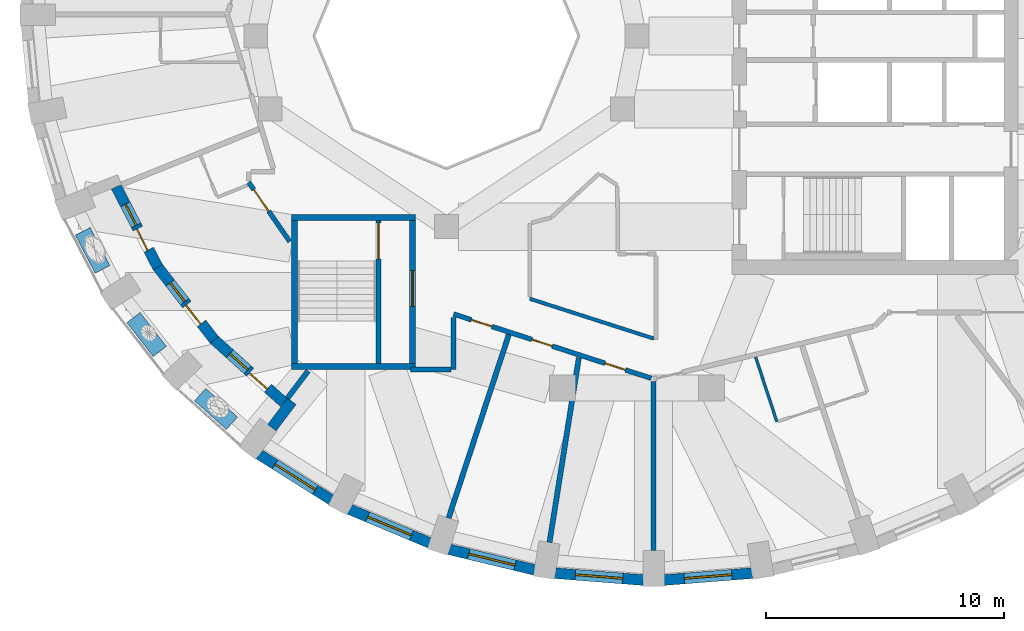
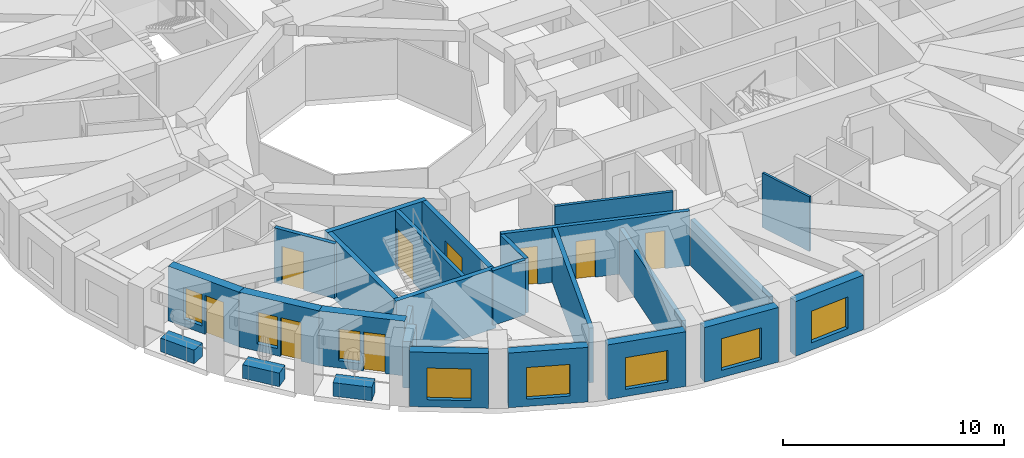
# One storey, part 3 of 12: 27 walls, 9 doors, 8 windows, 17 openings.
"""IFC4 building model written with IfcOpenShell, lengths in metres."""

from ifc_helpers import new_model, si_unit, direction, frame, frame_2d, origin, place, context, subcontext, project, spatial, rectangle, extrude, material, layer, layer_set, constituent, constituent_set, type_object, element, fill, save


model = new_model("IFC4")

# Units and contexts
model_context = context("Model", 3, precision=1e-05, world=origin(), true_north=direction((0.0, 1.0)))
body_context = subcontext(model_context, "Body", "Model", "MODEL_VIEW")
ifc_project = project(units=[si_unit("LENGTHUNIT", "METRE"), si_unit("AREAUNIT", "SQUARE_METRE"), si_unit("VOLUMEUNIT", "CUBIC_METRE"), si_unit("PLANEANGLEUNIT", "RADIAN"), si_unit("MASSUNIT", "GRAM", prefix="KILO")], contexts=[model_context])

# Site, building, storey
site_placement = place(None, origin())
site = spatial("IfcSite", under=ifc_project, at=site_placement, CompositionType="ELEMENT")
building_placement = place(site_placement, origin())
building = spatial("IfcBuilding", under=site, at=building_placement, Name="Taillehof Tower", CompositionType="ELEMENT")
storey_placement = place(building_placement, frame((0.0, 0.0, 222.199951171875)))
storey = spatial("IfcBuildingStorey", under=building, at=storey_placement, Name="L63", CompositionType="ELEMENT", Elevation=222.199951171875)

# Wall, opening, window
ifc_material_1 = material(Name="Brick masonry", Category="masonry")
ifc_layer_1 = layer(ifc_material_1, 0.449951171875)
ifc_layer_set_1 = layer_set([ifc_layer_1], Name="Brick infill wall 450")
wall_type_1 = type_object("IfcWallType", Name="Brick infill wall 450", PredefinedType="SOLIDWALL", material=ifc_layer_set_1)
wall_1_placement = place(storey_placement, frame((-15.8671875, -17.55859375, 0.0), z_axis=(0.0, 0.0, 1.0), x_axis=(0.84616917791, -0.532914366813, 0.0)))
wall_1 = element("IfcWall", 1, at=wall_1_placement, inside=storey, type_object=wall_type_1, Name="Brick wall L63 bay 24", PredefinedType="SOLIDWALL", context=body_context, shape_type="SweptSolid", body=[
    extrude(rectangle(XDim=3.586669921875, YDim=0.449951171875, at=frame_2d((1.79345703125, 0.0))), origin(), (0.0, 0.0, 1.0), 3.02001953125),
])
opening_1_placement = place(wall_1_placement, frame((0.79345703125, 0.0, 0.39990234375)))
opening_1 = element("IfcOpeningElement", 2, at=opening_1_placement, cuts=wall_1, Name="Opening W2", PredefinedType="OPENING", context=body_context, shape_type="SweptSolid", body=[
    extrude(rectangle(XDim=2.0, YDim=1.75, at=frame_2d((1.0, 0.875))), frame((0.0, 0.23486328125, 0.0), z_axis=(0.0, -1.0, 0.0), x_axis=(1.0, 0.0, 0.0)), (0.0, 0.0, 1.0), 0.469970703125),
])
ifc_material_2 = material(Name="Aluminium window frame with clear double glazing", Category="aluminium")
window_type_1 = type_object("IfcWindowType", Name="Deep-set window 2000x1750", PartitioningType="SINGLE_PANEL", PredefinedType="WINDOW", material=ifc_material_2)
window_1_placement = place(opening_1_placement, origin())
window_1 = element("IfcWindow", 3, at=window_1_placement, inside=storey, type_object=window_type_1, Name="W2", OverallHeight=1.75, OverallWidth=2.0, PartitioningType="SINGLE_PANEL", PredefinedType="WINDOW", context=body_context, shape_type="SweptSolid", body=[
    extrude(rectangle(XDim=2.0, YDim=1.75, at=frame_2d((1.0, 0.875))), frame((0.0, 0.034912109375, 0.0), z_axis=(0.0, -1.0, 0.0), x_axis=(1.0, 0.0, 0.0)), (0.0, 0.0, 1.0), 0.06005859375),
])
fill(opening_1, window_1)

wall_2_placement = place(storey_placement, frame((-12.0693359375, -19.866943359375, 0.0), z_axis=(0.0, 0.0, 1.0), x_axis=(0.922168222612, -0.386789050006, 0.0)))
wall_2 = element("IfcWall", 4, at=wall_2_placement, inside=storey, type_object=wall_type_1, Name="Brick wall L63 bay 25", PredefinedType="SOLIDWALL", context=body_context, shape_type="SweptSolid", body=[
    extrude(rectangle(XDim=3.65087890625, YDim=0.449951171875, at=frame_2d((1.825439453125, 0.0))), origin(), (0.0, 0.0, 1.0), 3.02001953125),
])
opening_2_placement = place(wall_2_placement, frame((0.825439453125, 0.0, 0.39990234375)))
opening_2 = element("IfcOpeningElement", 5, at=opening_2_placement, cuts=wall_2, Name="Opening W2", PredefinedType="OPENING", context=body_context, shape_type="SweptSolid", body=[
    extrude(rectangle(XDim=2.0, YDim=1.75, at=frame_2d((1.0, 0.875))), frame((0.0, 0.23486328125, 0.0), z_axis=(0.0, -1.0, 0.0), x_axis=(1.0, 0.0, 0.0)), (0.0, 0.0, 1.0), 0.469970703125),
])
window_2_placement = place(opening_2_placement, origin())
window_2 = element("IfcWindow", 6, at=window_2_placement, inside=storey, type_object=window_type_1, Name="W2", OverallHeight=1.75, OverallWidth=2.0, PartitioningType="SINGLE_PANEL", PredefinedType="WINDOW", context=body_context, shape_type="SweptSolid", body=[
    extrude(rectangle(XDim=2.0, YDim=1.75, at=frame_2d((1.0, 0.875))), frame((0.0, 0.034912109375, 0.0), z_axis=(0.0, -1.0, 0.0), x_axis=(1.0, 0.0, 0.0)), (0.0, 0.0, 1.0), 0.06005859375),
])
fill(opening_2, window_2)

wall_3_placement = place(storey_placement, frame((-7.88525390625, -21.547119140625, 0.0), z_axis=(0.0, 0.0, 1.0), x_axis=(0.9721584944, -0.234324266275, 0.0)))
wall_3 = element("IfcWall", 7, at=wall_3_placement, inside=storey, type_object=wall_type_1, Name="Brick wall L63 bay 26", PredefinedType="SOLIDWALL", context=body_context, shape_type="SweptSolid", body=[
    extrude(rectangle(XDim=3.69775390625, YDim=0.449951171875, at=frame_2d((1.848876953125, 0.0))), origin(), (0.0, 0.0, 1.0), 3.02001953125),
])
opening_3_placement = place(wall_3_placement, frame((0.848876953125, 0.0, 0.39990234375)))
opening_3 = element("IfcOpeningElement", 8, at=opening_3_placement, cuts=wall_3, Name="Opening W2", PredefinedType="OPENING", context=body_context, shape_type="SweptSolid", body=[
    extrude(rectangle(XDim=2.0, YDim=1.75, at=frame_2d((1.0, 0.875))), frame((0.0, 0.23486328125, 0.0), z_axis=(0.0, -1.0, 0.0), x_axis=(1.0, 0.0, 0.0)), (0.0, 0.0, 1.0), 0.469970703125),
])
window_3_placement = place(opening_3_placement, origin())
window_3 = element("IfcWindow", 9, at=window_3_placement, inside=storey, type_object=window_type_1, Name="W2", OverallHeight=1.75, OverallWidth=2.0, PartitioningType="SINGLE_PANEL", PredefinedType="WINDOW", context=body_context, shape_type="SweptSolid", body=[
    extrude(rectangle(XDim=2.0, YDim=1.75, at=frame_2d((1.0, 0.875))), frame((0.0, 0.034912109375, 0.0), z_axis=(0.0, -1.0, 0.0), x_axis=(1.0, 0.0, 0.0)), (0.0, 0.0, 1.0), 0.06005859375),
])
fill(opening_3, window_3)

wall_4_placement = place(storey_placement, frame((-3.441162109375, -22.54833984375, 0.0), z_axis=(0.0, 0.0, 1.0), x_axis=(0.996913971077, -0.078501810629, 0.0)))
wall_4 = element("IfcWall", 10, at=wall_4_placement, inside=storey, type_object=wall_type_1, Name="Brick wall L63 bay 27", PredefinedType="SOLIDWALL", context=body_context, shape_type="SweptSolid", body=[
    extrude(rectangle(XDim=3.72265625, YDim=0.449951171875, at=frame_2d((1.861328125, 0.0))), origin(), (0.0, 0.0, 1.0), 3.02001953125),
])
opening_4_placement = place(wall_4_placement, frame((0.861328125, 0.0, 0.39990234375)))
opening_4 = element("IfcOpeningElement", 11, at=opening_4_placement, cuts=wall_4, Name="Opening W2", PredefinedType="OPENING", context=body_context, shape_type="SweptSolid", body=[
    extrude(rectangle(XDim=2.0, YDim=1.75, at=frame_2d((1.0, 0.875))), frame((0.0, 0.23486328125, 0.0), z_axis=(0.0, -1.0, 0.0), x_axis=(1.0, 0.0, 0.0)), (0.0, 0.0, 1.0), 0.469970703125),
])
window_4_placement = place(opening_4_placement, origin())
window_4 = element("IfcWindow", 12, at=window_4_placement, inside=storey, type_object=window_type_1, Name="W2", OverallHeight=1.75, OverallWidth=2.0, PartitioningType="SINGLE_PANEL", PredefinedType="WINDOW", context=body_context, shape_type="SweptSolid", body=[
    extrude(rectangle(XDim=2.0, YDim=1.75, at=frame_2d((1.0, 0.875))), frame((0.0, 0.034912109375, 0.0), z_axis=(0.0, -1.0, 0.0), x_axis=(1.0, 0.0, 0.0)), (0.0, 0.0, 1.0), 0.06005859375),
])
fill(opening_4, window_4)

wall_5_placement = place(storey_placement, frame((1.130126953125, -22.840576171875, 0.0), z_axis=(0.0, 0.0, 1.0), x_axis=(0.996913566885, 0.078506943392, 0.0)))
wall_5 = element("IfcWall", 13, at=wall_5_placement, inside=storey, type_object=wall_type_1, Name="Brick wall L63 bay 28", PredefinedType="SOLIDWALL", context=body_context, shape_type="SweptSolid", body=[
    extrude(rectangle(XDim=3.722412109375, YDim=0.449951171875, at=frame_2d((1.861328125, 0.0))), origin(), (0.0, 0.0, 1.0), 3.02001953125),
])
opening_5_placement = place(wall_5_placement, frame((0.861328125, 0.0, 0.39990234375)))
opening_5 = element("IfcOpeningElement", 14, at=opening_5_placement, cuts=wall_5, Name="Opening W2", PredefinedType="OPENING", context=body_context, shape_type="SweptSolid", body=[
    extrude(rectangle(XDim=2.0, YDim=1.75, at=frame_2d((1.0, 0.875))), frame((0.0, 0.23486328125, 0.0), z_axis=(0.0, -1.0, 0.0), x_axis=(1.0, 0.0, 0.0)), (0.0, 0.0, 1.0), 0.469970703125),
])
window_5_placement = place(opening_5_placement, origin())
window_5 = element("IfcWindow", 15, at=window_5_placement, inside=storey, type_object=window_type_1, Name="W2", OverallHeight=1.75, OverallWidth=2.0, PartitioningType="SINGLE_PANEL", PredefinedType="WINDOW", context=body_context, shape_type="SweptSolid", body=[
    extrude(rectangle(XDim=2.0, YDim=1.75, at=frame_2d((1.0, 0.875))), frame((0.0, 0.034912109375, 0.0), z_axis=(0.0, -1.0, 0.0), x_axis=(1.0, 0.0, 0.0)), (0.0, 0.0, 1.0), 0.06005859375),
])
fill(opening_5, window_5)

# Wall
wall_6_placement = place(storey_placement, frame((-15.325927734375, -16.441650390625, 0.0), z_axis=(0.0, 0.0, 1.0), x_axis=(0.603644757989, 0.797253414011, 0.0)))
element("IfcWall", 16, at=wall_6_placement, inside=storey, type_object=wall_type_1, Name="Brick reveal L63 pocket 6", PredefinedType="SOLIDWALL", context=body_context, shape_type="SweptSolid", body=[
    extrude(rectangle(XDim=1.390869140625, YDim=0.449951171875, at=frame_2d((0.6953125, 0.0))), origin(), (0.0, 0.0, 1.0), 2.570068359375),
])

# Wall, openings, door, window
wall_7_placement = place(storey_placement, frame((-21.860595703125, -6.326171875, 0.0), z_axis=(0.0, 0.0, 1.0), x_axis=(0.45924645187, -0.888308896975, 0.0)))
wall_7 = element("IfcWall", 17, at=wall_7_placement, inside=storey, type_object=wall_type_1, Name="Brick wall L63 pocket bay 21", PredefinedType="SOLIDWALL", context=body_context, shape_type="SweptSolid", body=[
    extrude(rectangle(XDim=3.801513671875, YDim=0.449951171875, at=frame_2d((1.90087890625, 0.0))), origin(), (0.0, 0.0, 1.0), 3.02001953125),
])
opening_6_placement = place(wall_7_placement, frame((0.82568359375, 0.0, 0.39990234375)))
opening_6 = element("IfcOpeningElement", 18, at=opening_6_placement, cuts=wall_7, Name="Opening W5", PredefinedType="OPENING", context=body_context, shape_type="SweptSolid", body=[
    extrude(rectangle(XDim=1.0, YDim=1.75, at=frame_2d((0.5, 0.875))), frame((0.0, 0.23486328125, 0.0), z_axis=(0.0, -1.0, 0.0), x_axis=(1.0, 0.0, 0.0)), (0.0, 0.0, 1.0), 0.469970703125),
])
opening_7_placement = place(wall_7_placement, frame((1.975830078125, 0.0, 0.0)))
opening_7 = element("IfcOpeningElement", 19, at=opening_7_placement, cuts=wall_7, Name="Opening D6394", PredefinedType="OPENING", context=body_context, shape_type="SweptSolid", body=[
    extrude(rectangle(XDim=1.0, YDim=2.14990234375, at=frame_2d((0.5, 1.074951171875))), frame((0.0, 0.23486328125, 0.0), z_axis=(0.0, -1.0, 0.0), x_axis=(1.0, 0.0, 0.0)), (0.0, 0.0, 1.0), 0.469970703125),
])
ifc_material_3 = material(Name="Aluminium door frame with clear double glazing", Category="aluminium")
door_type_1 = type_object("IfcDoorType", Name="Balcony door 1000x2150", OperationType="SINGLE_SWING_RIGHT", PredefinedType="DOOR", material=ifc_material_3)
door_1_placement = place(opening_7_placement, frame((1.0, 0.0, 0.0), z_axis=(0.0, 0.0, 1.0), x_axis=(-1.0, 0.0, 0.0)))
door_1 = element("IfcDoor", 20, at=door_1_placement, inside=storey, type_object=door_type_1, Name="Balcony door L63 bay 21", OperationType="SINGLE_SWING_RIGHT", OverallHeight=2.14990234375, OverallWidth=1.0, PredefinedType="DOOR", context=body_context, shape_type="SweptSolid", body=[
    extrude(rectangle(XDim=1.0, YDim=2.14990234375, at=frame_2d((0.5, 1.074951171875))), frame((0.0, 0.0751953125, 0.0), z_axis=(0.0, -1.0, 0.0), x_axis=(1.0, 0.0, 0.0)), (0.0, 0.0, 1.0), 0.050048828125),
])
fill(opening_7, door_1)
ifc_material_4 = material(Name="Aluminium window frame with clear double glazing", Category="aluminium")
window_type_2 = type_object("IfcWindowType", Name="Fixed window 1000x1750", PartitioningType="SINGLE_PANEL", PredefinedType="WINDOW", material=ifc_material_4)
window_6_placement = place(opening_6_placement, origin())
window_6 = element("IfcWindow", 21, at=window_6_placement, inside=storey, type_object=window_type_2, Name="W5", OverallHeight=1.75, OverallWidth=1.0, PartitioningType="SINGLE_PANEL", PredefinedType="WINDOW", context=body_context, shape_type="SweptSolid", body=[
    extrude(rectangle(XDim=1.0, YDim=1.75, at=frame_2d((0.5, 0.875))), frame((0.0, 0.034912109375, 0.0), z_axis=(0.0, -1.0, 0.0), x_axis=(1.0, 0.0, 0.0)), (0.0, 0.0, 1.0), 0.06005859375),
])
fill(opening_6, window_6)

wall_8_placement = place(storey_placement, frame((-20.136962890625, -9.66845703125, 0.0), z_axis=(0.0, 0.0, 1.0), x_axis=(0.613157177014, -0.789960933386, 0.0)))
wall_8 = element("IfcWall", 22, at=wall_8_placement, inside=storey, type_object=wall_type_1, Name="Brick wall L63 pocket bay 22", PredefinedType="SOLIDWALL", context=body_context, shape_type="SweptSolid", body=[
    extrude(rectangle(XDim=3.906494140625, YDim=0.449951171875, at=frame_2d((1.953125, 0.0))), origin(), (0.0, 0.0, 1.0), 3.02001953125),
])
opening_8_placement = place(wall_8_placement, frame((0.87841796875, 0.0, 0.39990234375)))
opening_8 = element("IfcOpeningElement", 23, at=opening_8_placement, cuts=wall_8, Name="Opening W5", PredefinedType="OPENING", context=body_context, shape_type="SweptSolid", body=[
    extrude(rectangle(XDim=1.0, YDim=1.75, at=frame_2d((0.5, 0.875))), frame((0.0, 0.23486328125, 0.0), z_axis=(0.0, -1.0, 0.0), x_axis=(1.0, 0.0, 0.0)), (0.0, 0.0, 1.0), 0.469970703125),
])
opening_9_placement = place(wall_8_placement, frame((2.0283203125, 0.0, 0.0)))
opening_9 = element("IfcOpeningElement", 24, at=opening_9_placement, cuts=wall_8, Name="Opening D6395", PredefinedType="OPENING", context=body_context, shape_type="SweptSolid", body=[
    extrude(rectangle(XDim=1.0, YDim=2.14990234375, at=frame_2d((0.5, 1.074951171875))), frame((0.0, 0.23486328125, 0.0), z_axis=(0.0, -1.0, 0.0), x_axis=(1.0, 0.0, 0.0)), (0.0, 0.0, 1.0), 0.469970703125),
])
door_2_placement = place(opening_9_placement, frame((1.0, 0.0, 0.0), z_axis=(0.0, 0.0, 1.0), x_axis=(-1.0, 0.0, 0.0)))
door_2 = element("IfcDoor", 25, at=door_2_placement, inside=storey, type_object=door_type_1, Name="Balcony door L63 bay 22", OperationType="SINGLE_SWING_LEFT", OverallHeight=2.14990234375, OverallWidth=1.0, PredefinedType="DOOR", context=body_context, shape_type="SweptSolid", body=[
    extrude(rectangle(XDim=1.0, YDim=2.14990234375, at=frame_2d((0.5, 1.074951171875))), frame((0.0, 0.0751953125, 0.0), z_axis=(0.0, -1.0, 0.0), x_axis=(1.0, 0.0, 0.0)), (0.0, 0.0, 1.0), 0.050048828125),
])
fill(opening_9, door_2)
window_7_placement = place(opening_8_placement, origin())
window_7 = element("IfcWindow", 26, at=window_7_placement, inside=storey, type_object=window_type_2, Name="W5", OverallHeight=1.75, OverallWidth=1.0, PartitioningType="SINGLE_PANEL", PredefinedType="WINDOW", context=body_context, shape_type="SweptSolid", body=[
    extrude(rectangle(XDim=1.0, YDim=1.75, at=frame_2d((0.5, 0.875))), frame((0.0, 0.034912109375, 0.0), z_axis=(0.0, -1.0, 0.0), x_axis=(1.0, 0.0, 0.0)), (0.0, 0.0, 1.0), 0.06005859375),
])
fill(opening_8, window_7)

wall_9_placement = place(storey_placement, frame((-17.7685546875, -12.725341796875, 0.0), z_axis=(0.0, 0.0, 1.0), x_axis=(0.742485377568, -0.669862272484, 0.0)))
wall_9 = element("IfcWall", 27, at=wall_9_placement, inside=storey, type_object=wall_type_1, Name="Brick wall L63 pocket bay 23", PredefinedType="SOLIDWALL", context=body_context, shape_type="SweptSolid", body=[
    extrude(rectangle(XDim=3.980224609375, YDim=0.449951171875, at=frame_2d((1.990234375, 0.0))), origin(), (0.0, 0.0, 1.0), 3.02001953125),
])
opening_10_placement = place(wall_9_placement, frame((0.9150390625, 0.0, 0.39990234375)))
opening_10 = element("IfcOpeningElement", 28, at=opening_10_placement, cuts=wall_9, Name="Opening W5", PredefinedType="OPENING", context=body_context, shape_type="SweptSolid", body=[
    extrude(rectangle(XDim=1.0, YDim=1.75, at=frame_2d((0.5, 0.875))), frame((0.0, 0.23486328125, 0.0), z_axis=(0.0, -1.0, 0.0), x_axis=(1.0, 0.0, 0.0)), (0.0, 0.0, 1.0), 0.469970703125),
])
opening_11_placement = place(wall_9_placement, frame((2.065185546875, 0.0, 0.0)))
opening_11 = element("IfcOpeningElement", 29, at=opening_11_placement, cuts=wall_9, Name="Opening D6396", PredefinedType="OPENING", context=body_context, shape_type="SweptSolid", body=[
    extrude(rectangle(XDim=1.0, YDim=2.14990234375, at=frame_2d((0.5, 1.074951171875))), frame((0.0, 0.23486328125, 0.0), z_axis=(0.0, -1.0, 0.0), x_axis=(1.0, 0.0, 0.0)), (0.0, 0.0, 1.0), 0.469970703125),
])
door_3_placement = place(opening_11_placement, frame((1.0, 0.0, 0.0), z_axis=(0.0, 0.0, 1.0), x_axis=(-1.0, 0.0, 0.0)))
door_3 = element("IfcDoor", 30, at=door_3_placement, inside=storey, type_object=door_type_1, Name="Balcony door L63 bay 23", OperationType="SINGLE_SWING_LEFT", OverallHeight=2.14990234375, OverallWidth=1.0, PredefinedType="DOOR", context=body_context, shape_type="SweptSolid", body=[
    extrude(rectangle(XDim=1.0, YDim=2.14990234375, at=frame_2d((0.5, 1.074951171875))), frame((0.0, 0.0751953125, 0.0), z_axis=(0.0, -1.0, 0.0), x_axis=(1.0, 0.0, 0.0)), (0.0, 0.0, 1.0), 0.050048828125),
])
fill(opening_11, door_3)
window_8_placement = place(opening_10_placement, origin())
window_8 = element("IfcWindow", 31, at=window_8_placement, inside=storey, type_object=window_type_2, Name="W5", OverallHeight=1.75, OverallWidth=1.0, PartitioningType="SINGLE_PANEL", PredefinedType="WINDOW", context=body_context, shape_type="SweptSolid", body=[
    extrude(rectangle(XDim=1.0, YDim=1.75, at=frame_2d((0.5, 0.875))), frame((0.0, 0.034912109375, 0.0), z_axis=(0.0, -1.0, 0.0), x_axis=(1.0, 0.0, 0.0)), (0.0, 0.0, 1.0), 0.06005859375),
])
fill(opening_10, window_8)

# Wall, openings, doors
ifc_material_5 = material(Name="Gypsum board on steel studs, two layers each side", Category="steel")
ifc_layer_2 = layer(ifc_material_5, 0.199951171875)
ifc_layer_set_2 = layer_set([ifc_layer_2], Name="Compartment wall corridor 200")
wall_type_2 = type_object("IfcWallType", Name="Compartment wall corridor 200", PredefinedType="PARTITIONING", material=ifc_layer_set_2)
wall_10_placement = place(storey_placement, frame((0.604736328125, -14.369384765625, 0.0), z_axis=(0.0, 0.0, 1.0), x_axis=(-0.950994614205, 0.309207444529, 0.0)))
wall_10 = element("IfcWall", 32, at=wall_10_placement, inside=storey, type_object=wall_type_2, Name="Compartment wall", PredefinedType="PARTITIONING", context=body_context, shape_type="SweptSolid", body=[
    extrude(rectangle(XDim=8.732666015625, YDim=0.199951171875, at=frame_2d((4.3662109375, 0.0))), origin(), (0.0, 0.0, 1.0), 3.02001953125),
])
opening_12_placement = place(wall_10_placement, frame((7.039794921875, 0.0, 0.0)))
opening_12 = element("IfcOpeningElement", 33, at=opening_12_placement, cuts=wall_10, Name="Opening D6358", PredefinedType="OPENING", context=body_context, shape_type="SweptSolid", body=[
    extrude(rectangle(XDim=0.89990234375, YDim=2.10009765625, at=frame_2d((0.449951171875, 1.050048828125))), frame((0.0, 0.10986328125, 0.0), z_axis=(0.0, -1.0, 0.0), x_axis=(1.0, 0.0, 0.0)), (0.0, 0.0, 1.0), 0.219970703125),
])
opening_13_placement = place(wall_10_placement, frame((4.374755859375, 0.0, 0.0)))
opening_13 = element("IfcOpeningElement", 34, at=opening_13_placement, cuts=wall_10, Name="Opening D6359", PredefinedType="OPENING", context=body_context, shape_type="SweptSolid", body=[
    extrude(rectangle(XDim=0.89990234375, YDim=2.10009765625, at=frame_2d((0.449951171875, 1.050048828125))), frame((0.0, 0.10986328125, 0.0), z_axis=(0.0, -1.0, 0.0), x_axis=(1.0, 0.0, 0.0)), (0.0, 0.0, 1.0), 0.219970703125),
])
opening_14_placement = place(wall_10_placement, frame((1.144775390625, 0.0, 0.0)))
opening_14 = element("IfcOpeningElement", 35, at=opening_14_placement, cuts=wall_10, Name="Opening D6360", PredefinedType="OPENING", context=body_context, shape_type="SweptSolid", body=[
    extrude(rectangle(XDim=0.89990234375, YDim=2.10009765625, at=frame_2d((0.449951171875, 1.050048828125))), frame((0.0, 0.10986328125, 0.0), z_axis=(0.0, -1.0, 0.0), x_axis=(1.0, 0.0, 0.0)), (0.0, 0.0, 1.0), 0.219970703125),
])
ifc_material_6 = material(Name="Timber door leaf in steel frame", Category="steel")
door_type_2 = type_object("IfcDoorType", Name="Service room door EI 30 900 x 2100", OperationType="SINGLE_SWING_LEFT", PredefinedType="DOOR", material=ifc_material_6)
door_4_placement = place(opening_12_placement, origin())
door_4 = element("IfcDoor", 36, at=door_4_placement, inside=storey, type_object=door_type_2, Name="D6358", OperationType="SINGLE_SWING_LEFT", OverallHeight=2.10009765625, OverallWidth=0.89990234375, PredefinedType="DOOR", context=body_context, shape_type="SweptSolid", body=[
    extrude(rectangle(XDim=0.89990234375, YDim=2.10009765625, at=frame_2d((0.449951171875, 1.050048828125))), frame((0.0, 0.02490234375, 0.0), z_axis=(0.0, -1.0, 0.0), x_axis=(1.0, 0.0, 0.0)), (0.0, 0.0, 1.0), 0.050048828125),
])
fill(opening_12, door_4)
door_5_placement = place(opening_13_placement, origin())
door_5 = element("IfcDoor", 37, at=door_5_placement, inside=storey, type_object=door_type_2, Name="D6359", OperationType="SINGLE_SWING_RIGHT", OverallHeight=2.10009765625, OverallWidth=0.89990234375, PredefinedType="DOOR", context=body_context, shape_type="SweptSolid", body=[
    extrude(rectangle(XDim=0.89990234375, YDim=2.10009765625, at=frame_2d((0.449951171875, 1.050048828125))), frame((0.0, 0.02490234375, 0.0), z_axis=(0.0, -1.0, 0.0), x_axis=(1.0, 0.0, 0.0)), (0.0, 0.0, 1.0), 0.050048828125),
])
fill(opening_13, door_5)
door_6_placement = place(opening_14_placement, origin())
door_6 = element("IfcDoor", 38, at=door_6_placement, inside=storey, type_object=door_type_2, Name="D6360", OperationType="SINGLE_SWING_RIGHT", OverallHeight=2.10009765625, OverallWidth=0.89990234375, PredefinedType="DOOR", context=body_context, shape_type="SweptSolid", body=[
    extrude(rectangle(XDim=0.89990234375, YDim=2.10009765625, at=frame_2d((0.449951171875, 1.050048828125))), frame((0.0, 0.02490234375, 0.0), z_axis=(0.0, -1.0, 0.0), x_axis=(1.0, 0.0, 0.0)), (0.0, 0.0, 1.0), 0.050048828125),
])
fill(opening_14, door_6)

# Walls
wall_11_placement = place(storey_placement, frame((-7.699951171875, -11.809326171875, 0.0), z_axis=(0.0, 0.0, 1.0), x_axis=(0.0, -1.0, 0.0)))
element("IfcWall", 39, at=wall_11_placement, inside=storey, type_object=wall_type_2, Name="Compartment wall", PredefinedType="PARTITIONING", context=body_context, shape_type="SweptSolid", body=[
    extrude(rectangle(XDim=2.190673828125, YDim=0.199951171875, at=frame_2d((1.09521484375, 0.0))), origin(), (0.0, 0.0, 1.0), 3.02001953125),
])
wall_12_placement = place(storey_placement, frame((-7.800048828125, -14.0, 0.0), z_axis=(0.0, 0.0, 1.0), x_axis=(-1.0, 0.0, 0.0)))
element("IfcWall", 40, at=wall_12_placement, inside=storey, type_object=wall_type_2, Name="Compartment wall", PredefinedType="PARTITIONING", context=body_context, shape_type="SweptSolid", body=[
    extrude(rectangle(XDim=1.696044921875, YDim=0.199951171875, at=frame_2d((0.84814453125, 0.0))), origin(), (0.0, 0.0, 1.0), 3.02001953125),
])

# Wall, opening, door
wall_13_placement = place(storey_placement, frame((-14.575439453125, -8.626708984375, 0.0), z_axis=(0.0, 0.0, 1.0), x_axis=(-0.569910381143, 0.821706856163, 0.0)))
wall_13 = element("IfcWall", 41, at=wall_13_placement, inside=storey, type_object=wall_type_2, Name="Compartment wall", PredefinedType="PARTITIONING", context=body_context, shape_type="SweptSolid", body=[
    extrude(rectangle(XDim=3.026123046875, YDim=0.199951171875, at=frame_2d((1.51318359375, 0.0))), origin(), (0.0, 0.0, 1.0), 3.02001953125),
])
opening_15_placement = place(wall_13_placement, frame((1.551513671875, 0.0, 0.0)))
opening_15 = element("IfcOpeningElement", 42, at=opening_15_placement, cuts=wall_13, Name="Opening D6356", PredefinedType="OPENING", context=body_context, shape_type="SweptSolid", body=[
    extrude(rectangle(XDim=1.10009765625, YDim=2.10009765625, at=frame_2d((0.550048828125, 1.050048828125))), frame((0.0, 0.10986328125, 0.0), z_axis=(0.0, -1.0, 0.0), x_axis=(1.0, 0.0, 0.0)), (0.0, 0.0, 1.0), 0.219970703125),
])
ifc_material_7 = material(Name="Timber door leaf in steel frame", Category="steel")
door_type_3 = type_object("IfcDoorType", Name="Suite entrance door EI 30 1100 x 2100", OperationType="SINGLE_SWING_LEFT", PredefinedType="DOOR", material=ifc_material_7)
door_7_placement = place(opening_15_placement, origin())
door_7 = element("IfcDoor", 43, at=door_7_placement, inside=storey, type_object=door_type_3, Name="D6356", OperationType="SINGLE_SWING_RIGHT", OverallHeight=2.10009765625, OverallWidth=1.10009765625, PredefinedType="DOOR", context=body_context, shape_type="SweptSolid", body=[
    extrude(rectangle(XDim=1.10009765625, YDim=2.10009765625, at=frame_2d((0.550048828125, 1.050048828125))), frame((0.0, 0.02490234375, 0.0), z_axis=(0.0, -1.0, 0.0), x_axis=(1.0, 0.0, 0.0)), (0.0, 0.0, 1.0), 0.050048828125),
])
fill(opening_15, door_7)

# Walls
ifc_material_8 = material(Name="Gypsum board on double steel studs with mineral wool", Category="steel")
ifc_layer_3 = layer(ifc_material_8, 0.219970703125)
ifc_layer_set_3 = layer_set([ifc_layer_3], Name="Compartment wall guest room 220")
wall_type_3 = type_object("IfcWallType", Name="Compartment wall guest room 220", PredefinedType="PARTITIONING", material=ifc_layer_set_3)
wall_14_placement = place(storey_placement, frame((-14.6767578125, -15.21142578125, 0.0), z_axis=(0.0, 0.0, 1.0), x_axis=(0.60355868562, 0.797318576864, 0.0)))
element("IfcWall", 44, at=wall_14_placement, inside=storey, type_object=wall_type_3, Name="Compartment wall", PredefinedType="PARTITIONING", context=body_context, shape_type="SweptSolid", body=[
    extrude(rectangle(XDim=1.446533203125, YDim=0.219970703125, at=frame_2d((0.72314453125, 0.0))), origin(), (0.0, 0.0, 1.0), 2.570068359375),
])
wall_15_placement = place(storey_placement, frame((-7.9072265625, -20.2353515625, 0.0), z_axis=(0.0, 0.0, 1.0), x_axis=(0.311998426629, 0.950082618397, 0.0)))
element("IfcWall", 45, at=wall_15_placement, inside=storey, type_object=wall_type_3, Name="Compartment wall", PredefinedType="PARTITIONING", context=body_context, shape_type="SweptSolid", body=[
    extrude(rectangle(XDim=8.110595703125, YDim=0.219970703125, at=frame_2d((4.05517578125, 0.0))), origin(), (0.0, 0.0, 1.0), 3.02001953125),
])
wall_16_placement = place(storey_placement, frame((-3.6708984375, -21.256103515625, 0.0), z_axis=(0.0, 0.0, 1.0), x_axis=(0.1571047049, 0.98758195189, 0.0)))
element("IfcWall", 46, at=wall_16_placement, inside=storey, type_object=wall_type_3, Name="Compartment wall", PredefinedType="PARTITIONING", context=body_context, shape_type="SweptSolid", body=[
    extrude(rectangle(XDim=7.84765625, YDim=0.219970703125, at=frame_2d((3.923828125, 0.0))), origin(), (0.0, 0.0, 1.0), 2.570068359375),
])
wall_17_placement = place(storey_placement, frame((0.699951171875, -21.60009765625, 0.0), z_axis=(0.0, 0.0, 1.0), x_axis=(0.0, 1.0, 0.0)))
element("IfcWall", 47, at=wall_17_placement, inside=storey, type_object=wall_type_3, Name="Compartment wall", PredefinedType="PARTITIONING", context=body_context, shape_type="SweptSolid", body=[
    extrude(rectangle(XDim=7.10009765625, YDim=0.219970703125, at=frame_2d((3.550048828125, 0.0))), origin(), (0.0, 0.0, 1.0), 2.570068359375),
])
ifc_material_9 = material(Name="Gypsum board on steel studs, two layers each side", Category="steel")
ifc_layer_4 = layer(ifc_material_9, 0.14990234375)
ifc_layer_set_4 = layer_set([ifc_layer_4], Name="Compartment wall service room 150")
wall_type_4 = type_object("IfcWallType", Name="Compartment wall service room 150", PredefinedType="PARTITIONING", material=ifc_layer_set_4)
wall_18_placement = place(storey_placement, frame((0.704833984375, -12.699951171875, 0.0), z_axis=(0.0, 0.0, 1.0), x_axis=(-0.952035530576, 0.305987497327, 0.0)))
element("IfcWall", 48, at=wall_18_placement, inside=storey, type_object=wall_type_4, Name="Compartment wall", PredefinedType="PARTITIONING", context=body_context, shape_type="SweptSolid", body=[
    extrude(rectangle(XDim=5.467041015625, YDim=0.14990234375, at=frame_2d((2.7333984375, 0.0))), origin(), (0.0, 0.0, 1.0), 3.02001953125),
])
ifc_material_10 = material(Name="Gypsum board on steel studs, moisture resistant", Category="steel")
ifc_layer_5 = layer(ifc_material_10, 0.1201171875)
ifc_layer_set_5 = layer_set([ifc_layer_5], Name="En-suite wall 120")
wall_type_5 = type_object("IfcWallType", Name="En-suite wall 120", PredefinedType="PARTITIONING", material=ifc_layer_set_5)
wall_19_placement = place(storey_placement, frame((4.9814453125, -13.473388671875, 0.0), z_axis=(0.0, 0.0, 1.0), x_axis=(0.312029038347, -0.950072565243, 0.0)))
element("IfcWall", 49, at=wall_19_placement, inside=storey, type_object=wall_type_5, Name="En-suite wall", PredefinedType="PARTITIONING", context=body_context, shape_type="SweptSolid", body=[
    extrude(rectangle(XDim=2.86279296875, YDim=0.1201171875, at=frame_2d((1.431396484375, 0.0))), origin(), (0.0, 0.0, 1.0), 3.02001953125),
])
ifc_material_11 = material(Name="Concrete C30/37 precast", Category="concrete")
ifc_constituent_1 = constituent(ifc_material_11, Name="Structure", Category="concrete")
ifc_material_12 = material(Name="Insulated lining")
ifc_constituent_2 = constituent(ifc_material_12, Name="Lining")
ifc_constituent_set = constituent_set(constituents=[ifc_constituent_1, ifc_constituent_2], Name="Planter trough 700x750")
wall_type_6 = type_object("IfcWallType", Name="Planter trough 700x750", PredefinedType="USERDEFINED", material=ifc_constituent_set)
for number, where, z_axis, x_axis, name in (
    (50, (-23.263916015625, -8.197265625, 0.0), (0.0, 0.0, 1.0), (0.460186516514, -0.887822262629, 0.0), "Planter L63 bay 21"),
    (51, (-21.13525390625, -11.819091796875, 0.0), (0.0, 0.0, 1.0), (0.614269202726, -0.789096538189, 0.0), "Planter L63 bay 22"),
    (52, (-18.337890625, -15.051025390625, 0.0), (0.0, 0.0, 1.0), (0.743422275143, -0.668822338758, 0.0), "Planter L63 bay 23"),
):
    element("IfcWall", number, at=place(storey_placement, frame(where, z_axis=z_axis, x_axis=x_axis)), inside=storey, type_object=wall_type_6, Name=name, ObjectType="PLANTER", PredefinedType="USERDEFINED", context=body_context, shape_type="SweptSolid", body=[
        extrude(rectangle(XDim=1.800048828125, YDim=0.699951171875, at=frame_2d((0.89990234375, 0.0))), origin(), (0.0, 0.0, 1.0), 0.75),
    ])

# Wall, opening, door
ifc_material_13 = material(Name="Concrete C50/60", Category="concrete")
ifc_layer_6 = layer(ifc_material_13, 0.199951171875)
ifc_layer_set_6 = layer_set([ifc_layer_6], Name="Shaft wall C50/60 200")
wall_type_7 = type_object("IfcWallType", Name="Shaft wall C50/60 200", PredefinedType="SHEAR", material=ifc_layer_set_6)
wall_20_placement = place(storey_placement, frame((-10.85009765625, -13.75, 0.0), z_axis=(0.0, 0.0, 1.0), x_axis=(0.0, 1.0, 0.0)))
wall_20 = element("IfcWall", 53, at=wall_20_placement, inside=storey, type_object=wall_type_7, Name="Shaft wall SW", PredefinedType="SHEAR", context=body_context, shape_type="SweptSolid", body=[
    extrude(rectangle(XDim=6.0, YDim=0.199951171875, at=frame_2d((3.0, 0.0))), origin(), (0.0, 0.0, 1.0), 3.02001953125),
])
opening_16_placement = place(wall_20_placement, frame((4.39990234375, 0.0, 0.0)))
opening_16 = element("IfcOpeningElement", 54, at=opening_16_placement, cuts=wall_20, Name="Opening D6313", PredefinedType="OPENING", context=body_context, shape_type="SweptSolid", body=[
    extrude(rectangle(XDim=1.5, YDim=2.10009765625, at=frame_2d((0.75, 1.050048828125))), frame((0.0, 0.10986328125, 0.0), z_axis=(0.0, -1.0, 0.0), x_axis=(1.0, 0.0, 0.0)), (0.0, 0.0, 1.0), 0.219970703125),
])
ifc_material_14 = material(Name="Steel-faced fire door", Category="steel")
door_type_4 = type_object("IfcDoorType", Name="Stair door 1500x2100", OperationType="DOUBLE_DOOR_SINGLE_SWING", PredefinedType="DOOR", material=ifc_material_14)
door_8_placement = place(opening_16_placement, origin())
door_8 = element("IfcDoor", 55, at=door_8_placement, inside=storey, type_object=door_type_4, Name="Stair lobby door S4", OperationType="DOUBLE_DOOR_SINGLE_SWING", OverallHeight=2.10009765625, OverallWidth=1.5, PredefinedType="DOOR", context=body_context, shape_type="SweptSolid", body=[
    extrude(rectangle(XDim=1.5, YDim=2.10009765625, at=frame_2d((0.75, 1.050048828125))), frame((0.0, 0.02490234375, 0.0), z_axis=(0.0, -1.0, 0.0), x_axis=(1.0, 0.0, 0.0)), (0.0, 0.0, 1.0), 0.050048828125),
])
fill(opening_16, door_8)

# Wall
ifc_material_15 = material(Name="Concrete C50/60", Category="concrete")
ifc_layer_7 = layer(ifc_material_15, 0.25)
ifc_layer_set_7 = layer_set([ifc_layer_7], Name="Stair wall C50/60 250")
wall_type_8 = type_object("IfcWallType", Name="Stair wall C50/60 250", PredefinedType="SHEAR", material=ifc_layer_set_7)
wall_21_placement = place(storey_placement, frame((-14.375, -13.75, -0.280029296875), z_axis=(0.0, 0.0, 1.0), x_axis=(0.0, 1.0, 0.0)))
element("IfcWall", 56, at=wall_21_placement, inside=storey, type_object=wall_type_8, Name="Stair wall SC", PredefinedType="SHEAR", context=body_context, shape_type="SweptSolid", body=[
    extrude(rectangle(XDim=6.0, YDim=0.25, at=frame_2d((3.0, 0.0))), origin(), (0.0, 0.0, 1.0), 3.300048828125),
])

# Wall, opening, door
wall_22_placement = place(storey_placement, frame((-9.425048828125, -13.75, -0.280029296875), z_axis=(0.0, 0.0, 1.0), x_axis=(0.0, 1.0, 0.0)))
wall_22 = element("IfcWall", 57, at=wall_22_placement, inside=storey, type_object=wall_type_8, Name="Stair wall SC", PredefinedType="SHEAR", context=body_context, shape_type="SweptSolid", body=[
    extrude(rectangle(XDim=6.0, YDim=0.25, at=frame_2d((3.0, 0.0))), origin(), (0.0, 0.0, 1.0), 3.300048828125),
])
opening_17_placement = place(wall_22_placement, frame((2.39990234375, 0.0, 0.280029296875)))
opening_17 = element("IfcOpeningElement", 58, at=opening_17_placement, cuts=wall_22, Name="Opening D6316", PredefinedType="OPENING", context=body_context, shape_type="SweptSolid", body=[
    extrude(rectangle(XDim=1.5, YDim=2.10009765625, at=frame_2d((0.75, 1.050048828125))), frame((0.0, 0.135009765625, 0.0), z_axis=(0.0, -1.0, 0.0), x_axis=(1.0, 0.0, 0.0)), (0.0, 0.0, 1.0), 0.27001953125),
])
door_9_placement = place(opening_17_placement, origin())
door_9 = element("IfcDoor", 59, at=door_9_placement, inside=storey, type_object=door_type_4, Name="Stair door S4", OperationType="DOUBLE_DOOR_SINGLE_SWING", OverallHeight=2.10009765625, OverallWidth=1.5, PredefinedType="DOOR", context=body_context, shape_type="SweptSolid", body=[
    extrude(rectangle(XDim=1.5, YDim=2.10009765625, at=frame_2d((0.75, 1.050048828125))), frame((0.0, 0.02490234375, 0.0), z_axis=(0.0, -1.0, 0.0), x_axis=(1.0, 0.0, 0.0)), (0.0, 0.0, 1.0), 0.050048828125),
])
fill(opening_17, door_9)

# Walls
for number, where, z_axis, x_axis, name in (
    (60, (-14.5, -7.625, -0.280029296875), (0.0, 0.0, 1.0), (1.0, 0.0, 0.0), "Stair wall SC"),
    (61, (-14.5, -13.875, -0.280029296875), (0.0, 0.0, 1.0), (1.0, 0.0, 0.0), "Stair wall SC"),
):
    element("IfcWall", number, at=place(storey_placement, frame(where, z_axis=z_axis, x_axis=x_axis)), inside=storey, type_object=wall_type_8, Name=name, PredefinedType="SHEAR", context=body_context, shape_type="SweptSolid", body=[
        extrude(rectangle(XDim=5.199951171875, YDim=0.25, at=frame_2d((2.60009765625, 0.0))), origin(), (0.0, 0.0, 1.0), 3.300048828125),
    ])

save(model, "model.ifc")
